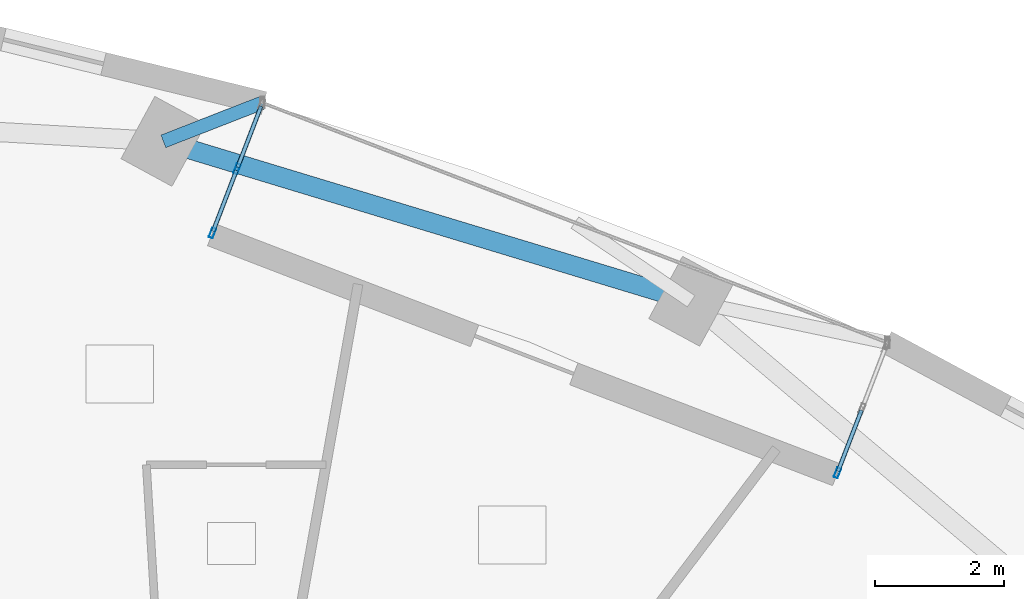
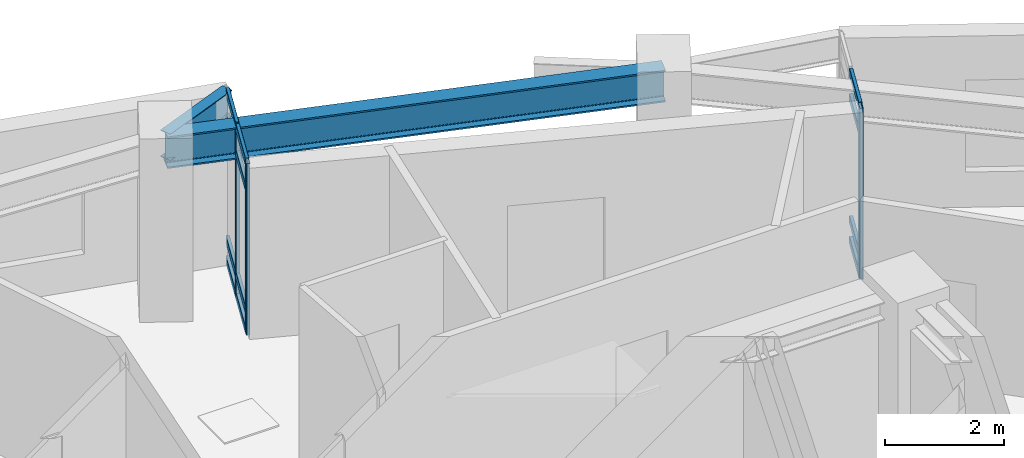
# One storey, part 2 of 12: 15 members, 2 beams, 2 elements without a shape of their own.
"""IFC4 building model written with IfcOpenShell, lengths in metres."""

from ifc_helpers import new_model, si_unit, direction, frame, origin, origin_2d, place, context, subcontext, project, spatial, hollow_rectangle, i_section, extrude, material, layer, layer_set, material_profile, profile_set, type_object, element, aggregate, save


model = new_model("IFC4")

# Units and contexts
model_context = context("Model", 3, precision=1e-05, world=origin(), true_north=direction((0.0, 1.0)))
body_context = subcontext(model_context, "Body", "Model", "MODEL_VIEW")
ifc_project = project(units=[si_unit("LENGTHUNIT", "METRE"), si_unit("AREAUNIT", "SQUARE_METRE"), si_unit("VOLUMEUNIT", "CUBIC_METRE"), si_unit("PLANEANGLEUNIT", "RADIAN"), si_unit("MASSUNIT", "GRAM", prefix="KILO")], contexts=[model_context])

# Site, building, storey
site_placement = place(None, origin())
site = spatial("IfcSite", under=ifc_project, at=site_placement, CompositionType="ELEMENT")
building_placement = place(site_placement, origin())
building = spatial("IfcBuilding", under=site, at=building_placement, Name="Ndelora Gate Hotel", CompositionType="ELEMENT")
storey_placement = place(building_placement, frame((0.0, 0.0, 161.0)))
storey = spatial("IfcBuildingStorey", under=building, at=storey_placement, Name="L40", CompositionType="ELEMENT", Elevation=161.0)

# Beams
ifc_material_1 = material(Name="Steel S355", Category="steel")
ifc_material_profile_1 = material_profile(ifc_material_1, i_section(OverallWidth=0.2099609375, OverallDepth=0.550048828125, WebThickness=0.010986328125, FlangeThickness=0.01708984375, FilletRadius=0.02392578125, at=origin_2d()), Name="IPE 550")
ifc_profile_set_1 = profile_set([ifc_material_profile_1], Name="Steel S355")
beam_type_1 = type_object("IfcBeamType", Name="BM-RAD-550", PredefinedType="BEAM", material=ifc_profile_set_1)
beam_1_placement = place(storey_placement, frame((-0.439208984375, 16.7744140625, 3.22509765625), z_axis=(0.931482386127, 0.363786426815, 0.0), x_axis=(-0.363786426815, 0.931482386127, 0.0)))
element("IfcBeam", 1, at=beam_1_placement, inside=storey, type_object=beam_type_1, Name="L40 Sky-Garden Loggia Column Bracket 3", PredefinedType="BEAM", context=body_context, shape_type="SweptSolid", body=[
    extrude(i_section(OverallWidth=0.2099609375, OverallDepth=0.550048828125, WebThickness=0.010986328125, FlangeThickness=0.01708984375, FilletRadius=0.02392578125, at=origin_2d()), origin(), (0.0, 0.0, 1.0), 1.65234375),
])
ifc_material_profile_2 = material_profile(ifc_material_1, i_section(OverallWidth=0.300048828125, OverallDepth=0.64990234375, WebThickness=0.01611328125, FlangeThickness=0.031005859375, FilletRadius=0.027099609375, at=origin_2d()), Name="HEB 650")
ifc_profile_set_2 = profile_set([ifc_material_profile_2], Name="Steel S355")
beam_type_2 = type_object("IfcBeamType", Name="BM-RING-650", PredefinedType="SPANDREL", material=ifc_profile_set_2)
beam_2_placement = place(storey_placement, frame((7.759033203125, 14.290283203125, 3.175048828125), z_axis=(-0.957030396662, 0.289987620192, 0.0), x_axis=(-0.289987620192, -0.957030396662, 0.0)))
element("IfcBeam", 2, at=beam_2_placement, inside=storey, type_object=beam_type_2, Name="L40 Perimeter Spandrel Girder 11", PredefinedType="SPANDREL", context=body_context, shape_type="SweptSolid", body=[
    extrude(i_section(OverallWidth=0.300048828125, OverallDepth=0.64990234375, WebThickness=0.01611328125, FlangeThickness=0.031005859375, FilletRadius=0.027099609375, at=origin_2d()), origin(), (0.0, 0.0, 1.0), 8.56640625),
])

# Curtain wall, member
ifc_material_2 = material(Name="Bronze Anodised Unitised Aluminium and Low-E Glass", Category="aluminium")
ifc_layer = layer(ifc_material_2, 0.199951171875)
ifc_layer_set = layer_set([ifc_layer], Name="Bronze Anodised Unitised Aluminium and Low-E Glass")
curtain_wall_type = type_object("IfcCurtainWallType", Name="CW-SYS-3", PredefinedType="NOTDEFINED", material=ifc_layer_set)
curtain_wall_1_placement = place(storey_placement, origin())
curtain_wall_1 = element("IfcCurtainWall", 3, at=curtain_wall_1_placement, inside=storey, type_object=curtain_wall_type, Name="L40 Sky-Garden Loggia Side Curtain Wall CW3-1", PredefinedType="NOTDEFINED")
ifc_material_3 = material(Name="Bronze Anodised Aluminium 6063-T6", Category="aluminium")
ifc_material_profile_3 = material_profile(ifc_material_3, hollow_rectangle(XDim=0.06494140625, YDim=0.159912109375, WallThickness=0.00390625, InnerFilletRadius=0.00390625, OuterFilletRadius=0.008056640625, at=origin_2d()), Name="ALU 160x65x4")
ifc_profile_set_3 = profile_set([ifc_material_profile_3], Name="Bronze Anodised Aluminium 6063-T6")
member_type_1 = type_object("IfcMemberType", Name="MB-CW-MUL150", PredefinedType="MULLION", material=ifc_profile_set_3)
member_1_placement = place(storey_placement, frame((10.0322265625, 11.625, -0.00390625), z_axis=(0.0, 0.0, 1.0), x_axis=(-0.93358321574, 0.358360683234, 0.0)))
member_1 = element("IfcMember", 4, at=member_1_placement, type_object=member_type_1, Name="CW3 mullion 1", PredefinedType="MULLION", context=body_context, shape_type="SweptSolid", body=[
    extrude(hollow_rectangle(XDim=0.06494140625, YDim=0.159912109375, WallThickness=0.00390625, InnerFilletRadius=0.00390625, OuterFilletRadius=0.008056640625, at=origin_2d()), origin(), (0.0, 0.0, 1.0), 3.5078125),
])

# Curtain wall, members
curtain_wall_2_placement = place(storey_placement, origin())
curtain_wall_2 = element("IfcCurtainWall", 5, at=curtain_wall_2_placement, inside=storey, type_object=curtain_wall_type, Name="L40 Sky-Garden Loggia Side Curtain Wall CW3-2", PredefinedType="NOTDEFINED")
member_2_placement = place(storey_placement, frame((0.705810546875, 16.3486328125, -0.00390625), z_axis=(0.0, 0.0, 1.0), x_axis=(0.933577378035, -0.35837589096, 0.0)))
member_2 = element("IfcMember", 6, at=member_2_placement, type_object=member_type_1, Name="CW3 mullion 2", PredefinedType="MULLION", context=body_context, shape_type="SweptSolid", body=[
    extrude(hollow_rectangle(XDim=0.06494140625, YDim=0.159912109375, WallThickness=0.00390625, InnerFilletRadius=0.00390625, OuterFilletRadius=0.008056640625, at=origin_2d()), origin(), (0.0, 0.0, 1.0), 3.5078125),
])
member_3_placement = place(storey_placement, frame((0.3232421875, 15.35205078125, -0.00390625), z_axis=(0.0, 0.0, 1.0), x_axis=(0.933577378035, -0.35837589096, 0.0)))
member_3 = element("IfcMember", 7, at=member_3_placement, type_object=member_type_1, Name="CW3 mullion 3", PredefinedType="MULLION", context=body_context, shape_type="SweptSolid", body=[
    extrude(hollow_rectangle(XDim=0.06494140625, YDim=0.159912109375, WallThickness=0.00390625, InnerFilletRadius=0.00390625, OuterFilletRadius=0.008056640625, at=origin_2d()), origin(), (0.0, 0.0, 1.0), 3.5078125),
])

# Member
ifc_material_profile_4 = material_profile(ifc_material_3, hollow_rectangle(XDim=0.06494140625, YDim=0.159912109375, WallThickness=0.00390625, InnerFilletRadius=0.00390625, OuterFilletRadius=0.008056640625, at=origin_2d()), Name="ALU 160x65x4")
ifc_profile_set_4 = profile_set([ifc_material_profile_4], Name="Bronze Anodised Aluminium 6063-T6")
member_type_2 = type_object("IfcMemberType", Name="MB-CW-TRN150", PredefinedType="USERDEFINED", material=ifc_profile_set_4)
member_4_placement = place(storey_placement, frame((10.041748046875, 11.649658203125, 0.032470703125), z_axis=(0.358495348874, 0.933531512503, 0.0), x_axis=(-0.933531512503, 0.358495348874, 0.0)))
member_4 = element("IfcMember", 8, at=member_4_placement, type_object=member_type_2, Name="CW3 transom 1.1", ObjectType="TRANSOM", PredefinedType="USERDEFINED", context=body_context, shape_type="SweptSolid", body=[
    extrude(hollow_rectangle(XDim=0.06494140625, YDim=0.159912109375, WallThickness=0.00390625, InnerFilletRadius=0.00390625, OuterFilletRadius=0.008056640625, at=origin_2d()), origin(), (0.0, 0.0, 1.0), 1.0146484375),
])

member_5_placement = place(storey_placement, frame((10.041748046875, 11.649658203125, 0.449951171875), z_axis=(0.358495348874, 0.933531512503, 0.0), x_axis=(-0.933531512503, 0.358495348874, 0.0)))
member_5 = element("IfcMember", 9, at=member_5_placement, type_object=member_type_2, Name="CW3 transom 1.2", ObjectType="TRANSOM", PredefinedType="USERDEFINED", context=body_context, shape_type="SweptSolid", body=[
    extrude(hollow_rectangle(XDim=0.06494140625, YDim=0.159912109375, WallThickness=0.00390625, InnerFilletRadius=0.00390625, OuterFilletRadius=0.008056640625, at=origin_2d()), origin(), (0.0, 0.0, 1.0), 1.0146484375),
])

member_6_placement = place(storey_placement, frame((10.041748046875, 11.649658203125, 2.949951171875), z_axis=(0.358495348874, 0.933531512503, 0.0), x_axis=(-0.933531512503, 0.358495348874, 0.0)))
member_6 = element("IfcMember", 10, at=member_6_placement, type_object=member_type_2, Name="CW3 transom 1.3", ObjectType="TRANSOM", PredefinedType="USERDEFINED", context=body_context, shape_type="SweptSolid", body=[
    extrude(hollow_rectangle(XDim=0.06494140625, YDim=0.159912109375, WallThickness=0.00390625, InnerFilletRadius=0.00390625, OuterFilletRadius=0.008056640625, at=origin_2d()), origin(), (0.0, 0.0, 1.0), 1.0146484375),
])

member_7_placement = place(storey_placement, frame((10.041748046875, 11.649658203125, 3.467529296875), z_axis=(0.358495348874, 0.933531512503, 0.0), x_axis=(-0.933531512503, 0.358495348874, 0.0)))
member_7 = element("IfcMember", 11, at=member_7_placement, type_object=member_type_2, Name="CW3 transom 1.4", ObjectType="TRANSOM", PredefinedType="USERDEFINED", context=body_context, shape_type="SweptSolid", body=[
    extrude(hollow_rectangle(XDim=0.06494140625, YDim=0.159912109375, WallThickness=0.00390625, InnerFilletRadius=0.00390625, OuterFilletRadius=0.008056640625, at=origin_2d()), origin(), (0.0, 0.0, 1.0), 1.0146484375),
])

aggregate(curtain_wall_1, [member_1, member_4, member_5, member_6, member_7])

member_8_placement = place(storey_placement, frame((1.078857421875, 17.3203125, 0.032470703125), z_axis=(-0.358575886741, -0.933500580315, 0.0), x_axis=(0.933500580315, -0.358575886741, 0.0)))
member_8 = element("IfcMember", 12, at=member_8_placement, type_object=member_type_2, Name="CW3 transom 1.1", ObjectType="TRANSOM", PredefinedType="USERDEFINED", context=body_context, shape_type="SweptSolid", body=[
    extrude(hollow_rectangle(XDim=0.06494140625, YDim=0.159912109375, WallThickness=0.00390625, InnerFilletRadius=0.00390625, OuterFilletRadius=0.008056640625, at=origin_2d()), origin(), (0.0, 0.0, 1.0), 1.014404296875),
])

member_9_placement = place(storey_placement, frame((1.078857421875, 17.3203125, 0.449951171875), z_axis=(-0.358575886741, -0.933500580315, 0.0), x_axis=(0.933500580315, -0.358575886741, 0.0)))
member_9 = element("IfcMember", 13, at=member_9_placement, type_object=member_type_2, Name="CW3 transom 1.2", ObjectType="TRANSOM", PredefinedType="USERDEFINED", context=body_context, shape_type="SweptSolid", body=[
    extrude(hollow_rectangle(XDim=0.06494140625, YDim=0.159912109375, WallThickness=0.00390625, InnerFilletRadius=0.00390625, OuterFilletRadius=0.008056640625, at=origin_2d()), origin(), (0.0, 0.0, 1.0), 1.014404296875),
])

member_10_placement = place(storey_placement, frame((1.078857421875, 17.3203125, 2.949951171875), z_axis=(-0.358575886741, -0.933500580315, 0.0), x_axis=(0.933500580315, -0.358575886741, 0.0)))
member_10 = element("IfcMember", 14, at=member_10_placement, type_object=member_type_2, Name="CW3 transom 1.3", ObjectType="TRANSOM", PredefinedType="USERDEFINED", context=body_context, shape_type="SweptSolid", body=[
    extrude(hollow_rectangle(XDim=0.06494140625, YDim=0.159912109375, WallThickness=0.00390625, InnerFilletRadius=0.00390625, OuterFilletRadius=0.008056640625, at=origin_2d()), origin(), (0.0, 0.0, 1.0), 1.014404296875),
])

member_11_placement = place(storey_placement, frame((1.078857421875, 17.3203125, 3.467529296875), z_axis=(-0.358575886741, -0.933500580315, 0.0), x_axis=(0.933500580315, -0.358575886741, 0.0)))
member_11 = element("IfcMember", 15, at=member_11_placement, type_object=member_type_2, Name="CW3 transom 1.4", ObjectType="TRANSOM", PredefinedType="USERDEFINED", context=body_context, shape_type="SweptSolid", body=[
    extrude(hollow_rectangle(XDim=0.06494140625, YDim=0.159912109375, WallThickness=0.00390625, InnerFilletRadius=0.00390625, OuterFilletRadius=0.008056640625, at=origin_2d()), origin(), (0.0, 0.0, 1.0), 1.014404296875),
])

member_12_placement = place(storey_placement, frame((0.6962890625, 16.323974609375, 0.032470703125), z_axis=(-0.358285642609, -0.933612017007, 0.0), x_axis=(0.933612017007, -0.358285642609, 0.0)))
member_12 = element("IfcMember", 16, at=member_12_placement, type_object=member_type_2, Name="CW3 transom 2.1", ObjectType="TRANSOM", PredefinedType="USERDEFINED", context=body_context, shape_type="SweptSolid", body=[
    extrude(hollow_rectangle(XDim=0.06494140625, YDim=0.159912109375, WallThickness=0.00390625, InnerFilletRadius=0.00390625, OuterFilletRadius=0.008056640625, at=origin_2d()), origin(), (0.0, 0.0, 1.0), 1.0146484375),
])

member_13_placement = place(storey_placement, frame((0.6962890625, 16.323974609375, 0.449951171875), z_axis=(-0.358285642609, -0.933612017007, 0.0), x_axis=(0.933612017007, -0.358285642609, 0.0)))
member_13 = element("IfcMember", 17, at=member_13_placement, type_object=member_type_2, Name="CW3 transom 2.2", ObjectType="TRANSOM", PredefinedType="USERDEFINED", context=body_context, shape_type="SweptSolid", body=[
    extrude(hollow_rectangle(XDim=0.06494140625, YDim=0.159912109375, WallThickness=0.00390625, InnerFilletRadius=0.00390625, OuterFilletRadius=0.008056640625, at=origin_2d()), origin(), (0.0, 0.0, 1.0), 1.0146484375),
])

member_14_placement = place(storey_placement, frame((0.6962890625, 16.323974609375, 2.949951171875), z_axis=(-0.358285642609, -0.933612017007, 0.0), x_axis=(0.933612017007, -0.358285642609, 0.0)))
member_14 = element("IfcMember", 18, at=member_14_placement, type_object=member_type_2, Name="CW3 transom 2.3", ObjectType="TRANSOM", PredefinedType="USERDEFINED", context=body_context, shape_type="SweptSolid", body=[
    extrude(hollow_rectangle(XDim=0.06494140625, YDim=0.159912109375, WallThickness=0.00390625, InnerFilletRadius=0.00390625, OuterFilletRadius=0.008056640625, at=origin_2d()), origin(), (0.0, 0.0, 1.0), 1.0146484375),
])

member_15_placement = place(storey_placement, frame((0.6962890625, 16.323974609375, 3.467529296875), z_axis=(-0.358285642609, -0.933612017007, 0.0), x_axis=(0.933612017007, -0.358285642609, 0.0)))
member_15 = element("IfcMember", 19, at=member_15_placement, type_object=member_type_2, Name="CW3 transom 2.4", ObjectType="TRANSOM", PredefinedType="USERDEFINED", context=body_context, shape_type="SweptSolid", body=[
    extrude(hollow_rectangle(XDim=0.06494140625, YDim=0.159912109375, WallThickness=0.00390625, InnerFilletRadius=0.00390625, OuterFilletRadius=0.008056640625, at=origin_2d()), origin(), (0.0, 0.0, 1.0), 1.0146484375),
])

aggregate(curtain_wall_2, [member_2, member_3, member_8, member_9, member_10, member_11, member_12, member_13, member_14, member_15])

save(model, "model.ifc")
